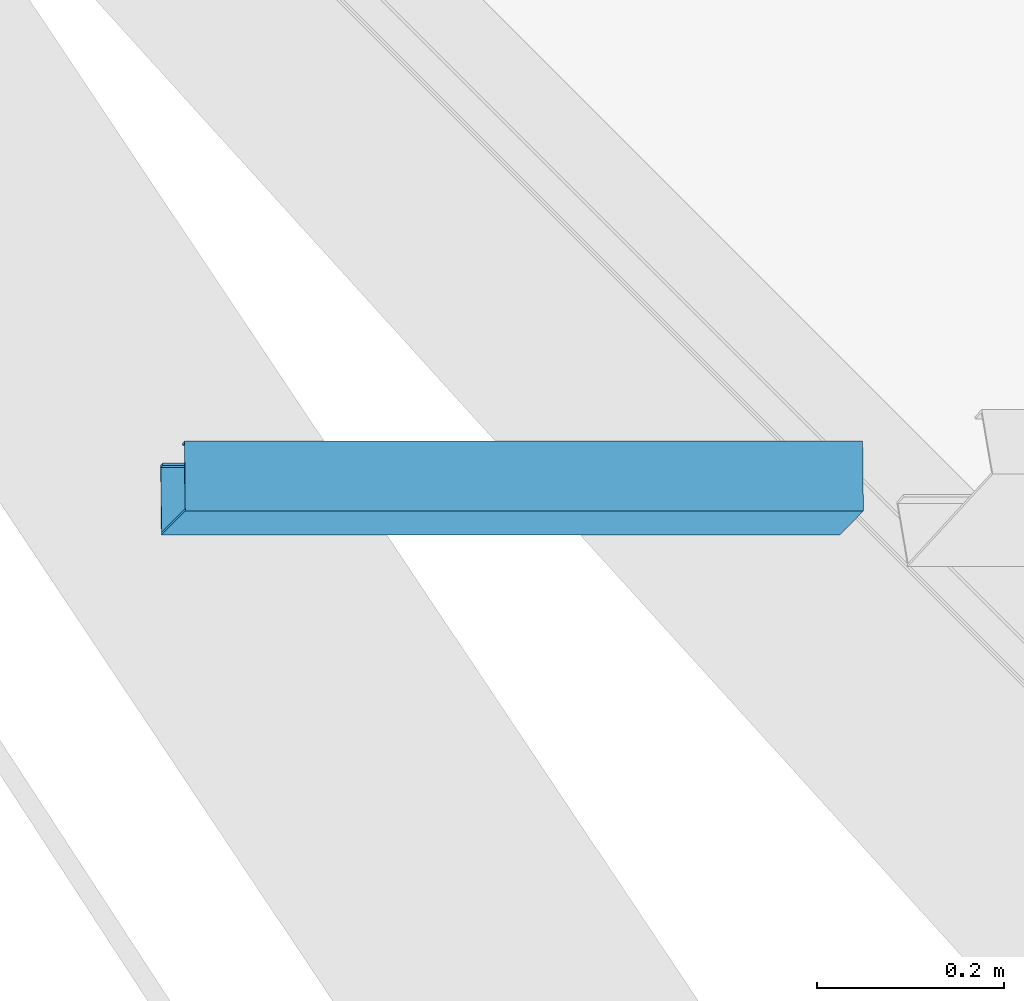
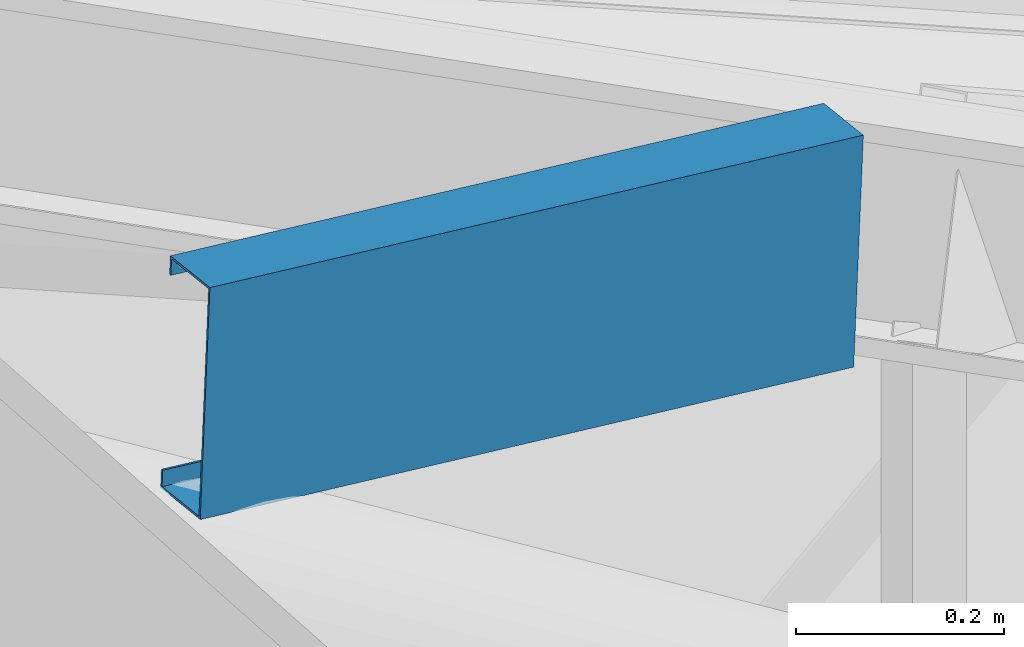
# One storey, part 230 of 437: 1 member.
"""IFC4 building model written with IfcOpenShell, lengths in metres."""

import ifcopenshell
import ifcopenshell.guid

model = None  # the IFC model being written
_history = None  # IfcOwnerHistory: only IFC2X3 demands one
_inside = {}  # id of a spatial element -> (the spatial element, [elements in it])
_under = {}  # id of a project, library or spatial element -> (it, [spatial elements below it])
_declared = {}  # id of a project -> (the project, [libraries it declares])
_typed = {}  # id of a type object -> (the type object, [elements of that type])
_made_of = {}  # id of a material, layer set ... -> (it, [elements and type objects made of it])


def new_model(schema):
    """Start an empty IFC model of exactly this schema.

    Asked for "IFC4X3", IfcOpenShell would pick the latest addendum, in which some entities
    have other attributes; the version numbers below select the first issue.
    IFC2X3 requires an IfcOwnerHistory on every rooted entity: one is made here for all.
    """
    global model, _history
    if schema == "IFC4X3":
        model = ifcopenshell.file(schema_version=(4, 3, 0, 0))
    else:
        model = ifcopenshell.file(schema=schema)
    _inside.clear()
    _under.clear()
    _declared.clear()
    _typed.clear()
    _made_of.clear()
    _history = None
    if model.schema == "IFC2X3":
        org = make("IfcOrganization", Name="unknown")
        user = make(
            "IfcPersonAndOrganization",
            ThePerson=make("IfcPerson", FamilyName="unknown"),
            TheOrganization=org,
        )
        app = make(
            "IfcApplication",
            ApplicationDeveloper=org,
            Version="unknown",
            ApplicationFullName="unknown",
            ApplicationIdentifier="unknown",
        )
        _history = make(
            "IfcOwnerHistory",
            OwningUser=user,
            OwningApplication=app,
            ChangeAction="ADDED",
            CreationDate=0,
        )
    return model


def make(cls, **values):
    """One entity of the class cls with the attributes given. An attribute that is None is left unset."""
    return model.create_entity(
        cls, **{name: value for name, value in values.items() if value is not None}
    )


def rooted(cls, **values):
    """An entity with a GlobalId (a new one), such as an element, a storey or a relation."""
    return make(cls, GlobalId=ifcopenshell.guid.new(), OwnerHistory=_history, **values)


def si_unit(unit_type, name, prefix=None):
    """IfcSIUnit, for example si_unit("LENGTHUNIT", "METRE", prefix="MILLI")."""
    return make("IfcSIUnit", UnitType=unit_type, Prefix=prefix, Name=name)


def assignment(units):
    """IfcUnitAssignment: the units of a project."""
    return None if units is None else make("IfcUnitAssignment", Units=units)


def point(xyz):
    """IfcCartesianPoint."""
    return None if xyz is None else make("IfcCartesianPoint", Coordinates=xyz)


def direction(xyz):
    """IfcDirection."""
    return None if xyz is None else make("IfcDirection", DirectionRatios=xyz)


def frame(location, z_axis=None, x_axis=None):
    """IfcAxis2Placement3D, a coordinate frame: its origin and axes. An axis left out is left unset."""
    return make(
        "IfcAxis2Placement3D",
        Location=point(location),
        Axis=direction(z_axis),
        RefDirection=direction(x_axis),
    )


def origin():
    """The frame at (0, 0, 0) with its axes left unset."""
    return frame((0.0, 0.0, 0.0))


def place(relative_to, where):
    """IfcLocalPlacement: puts the frame where relative to a parent placement (None: the world)."""
    return make(
        "IfcLocalPlacement", PlacementRelTo=relative_to, RelativePlacement=where
    )


def context(
    kind, dimensions, precision=None, world=None, true_north=None, identifier=None
):
    """IfcGeometricRepresentationContext, for example the 3D "Model" context."""
    return make(
        "IfcGeometricRepresentationContext",
        ContextIdentifier=identifier,
        ContextType=kind,
        CoordinateSpaceDimension=dimensions,
        Precision=precision,
        WorldCoordinateSystem=world,
        TrueNorth=true_north,
    )


def subcontext(parent, identifier, kind, view, scale=None):
    """IfcGeometricRepresentationSubContext, for example "Body" below "Model"."""
    return make(
        "IfcGeometricRepresentationSubContext",
        ContextIdentifier=identifier,
        ContextType=kind,
        ParentContext=parent,
        TargetScale=scale,
        TargetView=view,
    )


def project(units=None, contexts=None):
    """IfcProject with its units and contexts."""
    return rooted(
        "IfcProject",
        Name="project",
        RepresentationContexts=contexts,
        UnitsInContext=assignment(units),
    )


def spatial(cls, under=None, at=None, **own):
    """A site, building, storey or space (cls), placed at a placement, below another one or the project."""
    s = rooted(cls, ObjectPlacement=at, **own)
    if under is not None:
        _under.setdefault(under.id(), (under, []))[1].append(s)
    return s


def polyline(points):
    """IfcPolyline through the points."""
    return make("IfcPolyline", Points=[point(p) for p in points])


def outline(outer, holes=None, kind="AREA"):
    """IfcArbitraryClosedProfileDef: a profile drawn as a closed curve; with holes, ...WithVoids."""
    if holes is None:
        return make("IfcArbitraryClosedProfileDef", ProfileType=kind, OuterCurve=outer)
    return make(
        "IfcArbitraryProfileDefWithVoids",
        ProfileType=kind,
        OuterCurve=outer,
        InnerCurves=holes,
    )


def extrude(swept, where, along, depth):
    """IfcExtrudedAreaSolid: the profile swept, set in the frame where, extruded along a direction by depth."""
    return make(
        "IfcExtrudedAreaSolid",
        SweptArea=swept,
        Position=where,
        ExtrudedDirection=direction(along),
        Depth=depth,
    )


def shape(context_of_items, identifier, shape_type, items):
    """IfcShapeRepresentation: the items that make up one representation, for example the "Body"."""
    return make(
        "IfcShapeRepresentation",
        ContextOfItems=context_of_items,
        RepresentationIdentifier=identifier,
        RepresentationType=shape_type,
        Items=items,
    )


def material(Name=None, Category=None):
    """IfcMaterial."""
    return make("IfcMaterial", Name=Name, Category=Category)


def material_profile(
    of_material, cross_section, Name=None, Category=None, Priority=None
):
    """IfcMaterialProfile: a cross section and its material."""
    return make(
        "IfcMaterialProfile",
        Name=Name,
        Material=of_material,
        Profile=cross_section,
        Priority=Priority,
        Category=Category,
    )


def profile_set(profiles, Name=None, composite=None):
    """IfcMaterialProfileSet."""
    return make(
        "IfcMaterialProfileSet",
        Name=Name,
        MaterialProfiles=profiles,
        CompositeProfile=composite,
    )


def made_of(thing, what):
    """Note that an element or type object is made of a material, layer set ...; save() writes the relation."""
    if what is not None:
        _made_of.setdefault(what.id(), (what, []))[1].append(thing)
    return thing


def type_object(cls, material=None, **own):
    """A type object (cls), such as IfcWallType, which elements share."""
    return made_of(rooted(cls, **own), material)


def element(
    cls,
    number,
    at=None,
    inside=None,
    cuts=None,
    type_object=None,
    material=None,
    context=None,
    identifier="Body",
    shape_type=None,
    held_by="IfcProductDefinitionShape",
    body=None,
    shapes=None,
    **own,
):
    """One element of the class cls, such as IfcWall. Its Tag is "e" and its number.

    at: its placement. inside: the storey or other place that contains it. cuts: it is an
    opening in that element (IfcRelVoidsElement). A single representation is given by context,
    identifier, shape_type and body (its items); several are given by shapes. held_by: the class
    of the entity that holds the representations. save() writes the other relations.
    """
    e = rooted(cls, Tag="e%d" % number, ObjectPlacement=at, **own)
    if body is not None:
        shapes = [shape(context, identifier, shape_type, body)]
    if shapes is not None:
        e.Representation = make(held_by, Representations=shapes)
    if inside is not None:
        _inside.setdefault(inside.id(), (inside, []))[1].append(e)
    if cuts is not None:
        rooted(
            "IfcRelVoidsElement", RelatingBuildingElement=cuts, RelatedOpeningElement=e
        )
    if type_object is not None:
        _typed.setdefault(type_object.id(), (type_object, []))[1].append(e)
    return made_of(e, material)


def aggregate(whole, parts):
    """IfcRelAggregates: a whole, such as a stair, and the parts it consists of."""
    return rooted("IfcRelAggregates", RelatingObject=whole, RelatedObjects=parts)


def save(model, path):
    """Write the relations noted so far, then the file.

    IfcRelAggregates (storeys below a building ...), IfcRelContainedInSpatialStructure (elements
    in a storey), IfcRelDefinesByType, IfcRelAssociatesMaterial and IfcRelDeclares: one each for
    every whole, place, type object, material and project.
    """
    for whole, parts in _under.values():
        aggregate(whole, parts)
    for where, things in _inside.values():
        rooted(
            "IfcRelContainedInSpatialStructure",
            RelatedElements=things,
            RelatingStructure=where,
        )
    for kind, things in _typed.values():
        rooted("IfcRelDefinesByType", RelatedObjects=things, RelatingType=kind)
    for what, things in _made_of.values():
        rooted("IfcRelAssociatesMaterial", RelatedObjects=things, RelatingMaterial=what)
    for by, libraries in _declared.values():
        rooted("IfcRelDeclares", RelatingContext=by, RelatedDefinitions=libraries)
    model.write(path)


model = new_model("IFC4")

# Units and contexts
model_context = context("Model", 3, precision=1e-05, world=origin(), true_north=direction((0.0, 1.0)))
body_context = subcontext(model_context, "Body", "Model", "MODEL_VIEW")
ifc_project = project(units=[si_unit("LENGTHUNIT", "METRE"), si_unit("AREAUNIT", "SQUARE_METRE"), si_unit("VOLUMEUNIT", "CUBIC_METRE"), si_unit("PLANEANGLEUNIT", "RADIAN"), si_unit("MASSUNIT", "GRAM", prefix="KILO")], contexts=[model_context])

# Site, building, storey
site_placement = place(None, origin())
site = spatial("IfcSite", under=ifc_project, at=site_placement, CompositionType="ELEMENT")
building_placement = place(site_placement, origin())
building = spatial("IfcBuilding", under=site, at=building_placement, Name="Opaline Strait Convention Centre", CompositionType="ELEMENT")
storey_placement = place(building_placement, frame((0.0, 0.0, 11.5)))
storey = spatial("IfcBuildingStorey", under=building, at=storey_placement, Name="L02", CompositionType="ELEMENT", Elevation=11.5)

# Member
ifc_material = material(Name="Steel Q355B", Category="steel")
ifc_material_profile = material_profile(ifc_material, outline(polyline([(-0.03759765625, -0.125), (0.03759765625, -0.125), (0.03759765625, -0.10498046875), (0.034912109375, -0.10498046875), (0.034912109375, -0.12255859375), (-0.034912109375, -0.12255859375), (-0.034912109375, 0.12255859375), (0.034912109375, 0.12255859375), (0.034912109375, 0.10498046875), (0.03759765625, 0.10498046875), (0.03759765625, 0.125), (-0.03759765625, 0.125), (-0.03759765625, -0.125)])), Name="C 250x75x20x2.5")
ifc_profile_set = profile_set([ifc_material_profile], Name="Steel Q355B")
member_type = type_object("IfcMemberType", Name="Roof purlin C 250x75x20x2.5", PredefinedType="PURLIN", material=ifc_profile_set)
member_placement = place(storey_placement, frame((88.0869140625, 46.5, 25.06640625), z_axis=(0.994689427087, 0.0, -0.102922027002), x_axis=(-0.010597484213, 0.994684861285, -0.1024193344)))
element("IfcMember", 1, at=member_placement, inside=storey, type_object=member_type, Name="EXB-RF-P-0-0-1b", PredefinedType="PURLIN", context=body_context, shape_type="SweptSolid", body=[
    extrude(outline(polyline([(-0.03759765625, -0.125), (0.03759765625, -0.125), (0.03759765625, -0.10498046875), (0.034912109375, -0.10498046875), (0.034912109375, -0.12255859375), (-0.034912109375, -0.12255859375), (-0.034912109375, 0.12255859375), (0.034912109375, 0.12255859375), (0.034912109375, 0.10498046875), (0.03759765625, 0.10498046875), (0.03759765625, 0.125), (-0.03759765625, 0.125), (-0.03759765625, -0.125)])), origin(), (0.0, 0.0, 1.0), 0.728271484375),
])

save(model, "model.ifc")
